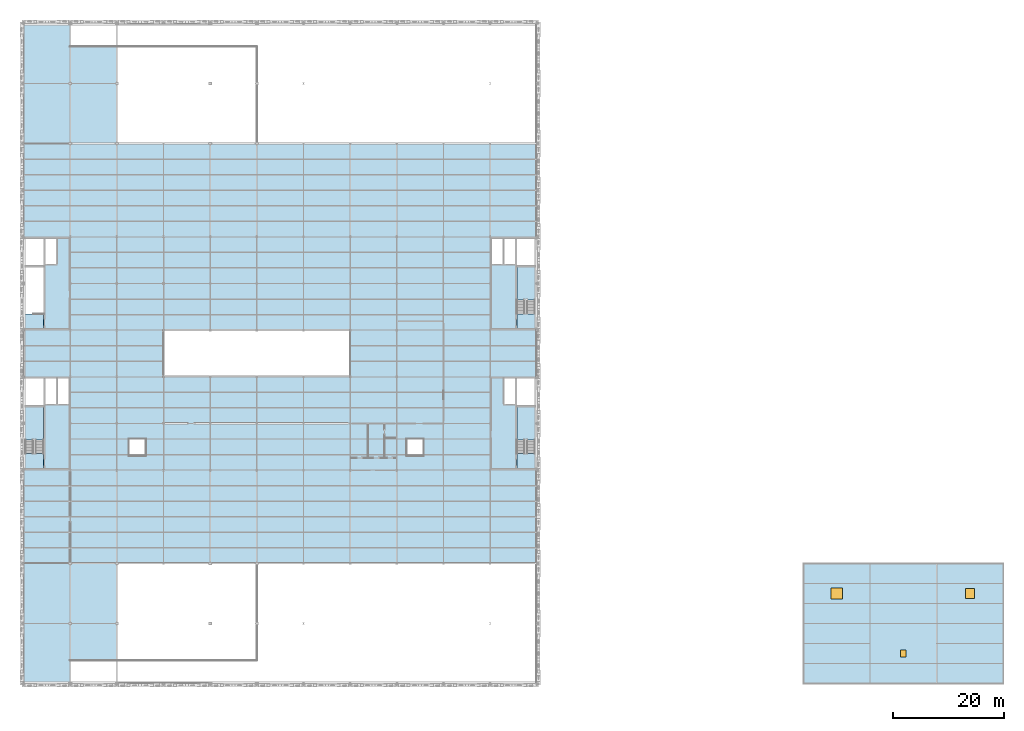
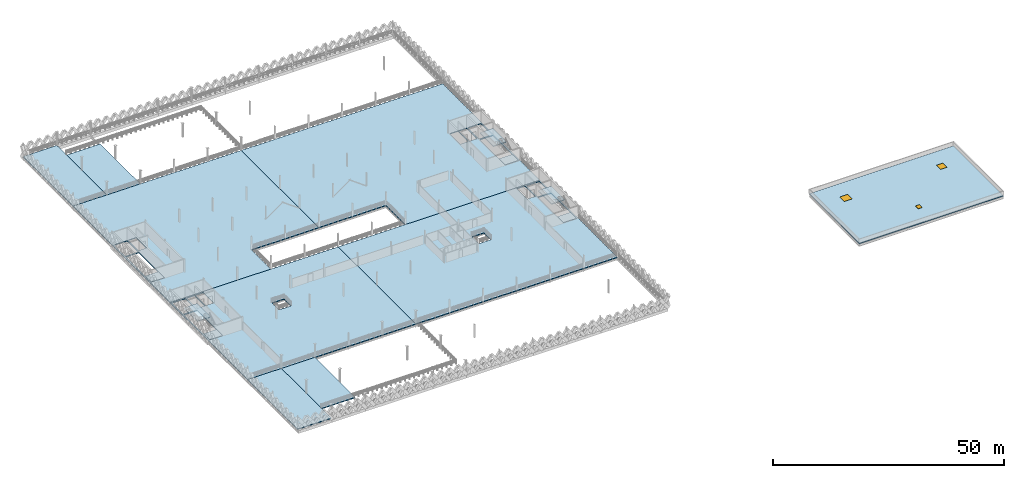
# One storey, part 31 of 47: 16 slabs, 2 windows, 1 door, 3 openings, 3 elements without a shape of their own.
"""IFC4 building model written with IfcOpenShell, lengths in metres."""

from ifc_helpers import new_model, si_unit, direction, frame, origin, origin_2d, place, context, subcontext, project, spatial, polyline, rectangle, outline, extrude, material, layer, layer_set, type_object, element, fill, aggregate, save


model = new_model("IFC4")

# Units and contexts
model_context = context("Model", 3, precision=1e-05, world=origin(), true_north=direction((0.0, 1.0)))
body_context = subcontext(model_context, "Body", "Model", "MODEL_VIEW")
ifc_project = project(units=[si_unit("LENGTHUNIT", "METRE"), si_unit("AREAUNIT", "SQUARE_METRE"), si_unit("VOLUMEUNIT", "CUBIC_METRE"), si_unit("PLANEANGLEUNIT", "RADIAN"), si_unit("MASSUNIT", "GRAM", prefix="KILO"), si_unit("THERMODYNAMICTEMPERATUREUNIT", "KELVIN"), si_unit("POWERUNIT", "WATT")], contexts=[model_context])

# Site, building, storey
site_placement = place(None, origin())
site = spatial("IfcSite", under=ifc_project, at=site_placement, CompositionType="ELEMENT")
building_placement = place(site_placement, origin())
building = spatial("IfcBuilding", under=site, at=building_placement, Name="Tembeka Court Mobility Hub", CompositionType="ELEMENT")
storey_placement = place(building_placement, frame((0.0, 0.0, 19.800048828125)))
storey = spatial("IfcBuildingStorey", under=building, at=storey_placement, Name="L05", CompositionType="ELEMENT", Elevation=19.800048828125)

# Slabs
ifc_material_1 = material(Name="Concrete C40/50", Category="concrete")
ifc_layer_1 = layer(ifc_material_1, 0.219970703125)
ifc_layer_set_1 = layer_set([ifc_layer_1], Name="Concrete C40/50")
slab_type_1 = type_object("IfcSlabType", Name="SL-FL02", PredefinedType="FLOOR", material=ifc_layer_set_1)
slab_1_placement = place(storey_placement, frame((0.0, 0.0, -0.219970703125)))
element("IfcSlab", 1, at=slab_1_placement, inside=storey, type_object=slab_type_1, Name="L05 ramped EV parking deck (V1SW)", PredefinedType="FLOOR", context=body_context, shape_type="SweptSolid", body=[
    extrude(outline(polyline([(0.0, 21.60009765625), (42.0, 21.60009765625), (42.0, 55.199951171875), (0.0, 55.199951171875), (0.0, 21.60009765625)]), holes=[polyline([(0.300048828125, 49.75), (3.60009765625, 49.75), (3.60009765625, 38.699951171875), (0.300048828125, 38.699951171875), (0.300048828125, 49.75)]), polyline([(3.89990234375, 54.89990234375), (5.89990234375, 54.89990234375), (5.89990234375, 50.35009765625), (3.89990234375, 50.35009765625), (3.89990234375, 54.89990234375)]), polyline([(6.10009765625, 54.89990234375), (8.10009765625, 54.89990234375), (8.10009765625, 50.35009765625), (6.10009765625, 50.35009765625), (6.10009765625, 54.89990234375)]), polyline([(0.300048828125, 54.89990234375), (3.60009765625, 54.89990234375), (3.60009765625, 50.050048828125), (0.300048828125, 50.050048828125), (0.300048828125, 54.89990234375)]), polyline([(19.0, 44.0), (22.0, 44.0), (22.0, 41.0), (19.0, 41.0), (19.0, 44.0)])]), origin(), (0.0, 0.0, 1.0), 0.219970703125),
])
slab_2_placement = place(storey_placement, frame((0.0, 0.0, -0.219970703125)))
element("IfcSlab", 2, at=slab_2_placement, inside=storey, type_object=slab_type_1, Name="L05 ramped EV parking deck (V1NW)", PredefinedType="FLOOR", context=body_context, shape_type="SweptSolid", body=[
    extrude(outline(polyline([(0.0, 55.199951171875), (25.199951171875, 55.199951171875), (25.199951171875, 63.60009765625), (42.0, 63.60009765625), (42.0, 97.199951171875), (0.0, 97.199951171875), (0.0, 55.199951171875)]), holes=[polyline([(0.300048828125, 74.949951171875), (3.60009765625, 74.949951171875), (3.60009765625, 63.89990234375), (0.300048828125, 63.89990234375), (0.300048828125, 74.949951171875)]), polyline([(3.89990234375, 80.10009765625), (5.89990234375, 80.10009765625), (5.89990234375, 75.550048828125), (3.89990234375, 75.550048828125), (3.89990234375, 80.10009765625)]), polyline([(0.300048828125, 80.10009765625), (3.60009765625, 80.10009765625), (3.60009765625, 75.25), (0.300048828125, 75.25), (0.300048828125, 80.10009765625)])]), origin(), (0.0, 0.0, 1.0), 0.219970703125),
])
slab_3_placement = place(storey_placement, frame((0.0, 0.0, -0.219970703125)))
element("IfcSlab", 3, at=slab_3_placement, inside=storey, type_object=slab_type_1, Name="L05 ramped EV parking deck (V1SE)", PredefinedType="FLOOR", context=body_context, shape_type="SweptSolid", body=[
    extrude(outline(polyline([(42.0, 21.60009765625), (92.39990234375, 21.60009765625), (92.39990234375, 55.199951171875), (42.0, 55.199951171875), (42.0, 21.60009765625)]), holes=[polyline([(88.800048828125, 49.75), (92.10009765625, 49.75), (92.10009765625, 38.699951171875), (88.800048828125, 38.699951171875), (88.800048828125, 49.75)]), polyline([(86.5, 54.89990234375), (88.5, 54.89990234375), (88.5, 50.35009765625), (86.5, 50.35009765625), (86.5, 54.89990234375)]), polyline([(88.800048828125, 54.89990234375), (92.10009765625, 54.89990234375), (92.10009765625, 50.050048828125), (88.800048828125, 50.050048828125), (88.800048828125, 54.89990234375)]), polyline([(69.0, 44.0), (72.0, 44.0), (72.0, 41.0), (69.0, 41.0), (69.0, 44.0)])]), origin(), (0.0, 0.0, 1.0), 0.219970703125),
])
slab_4_placement = place(storey_placement, frame((0.0, 0.0, -0.219970703125)))
element("IfcSlab", 4, at=slab_4_placement, inside=storey, type_object=slab_type_1, Name="L05 ramped EV parking deck (V1NE)", PredefinedType="FLOOR", context=body_context, shape_type="SweptSolid", body=[
    extrude(outline(polyline([(42.0, 63.60009765625), (58.800048828125, 63.60009765625), (58.800048828125, 55.199951171875), (92.39990234375, 55.199951171875), (92.39990234375, 97.199951171875), (42.0, 97.199951171875), (42.0, 63.60009765625)]), holes=[polyline([(88.800048828125, 74.949951171875), (92.10009765625, 74.949951171875), (92.10009765625, 63.89990234375), (88.800048828125, 63.89990234375), (88.800048828125, 74.949951171875)]), polyline([(84.300048828125, 80.10009765625), (86.300048828125, 80.10009765625), (86.300048828125, 75.550048828125), (84.300048828125, 75.550048828125), (84.300048828125, 80.10009765625)]), polyline([(86.5, 80.10009765625), (88.5, 80.10009765625), (88.5, 75.550048828125), (86.5, 75.550048828125), (86.5, 80.10009765625)]), polyline([(88.800048828125, 80.10009765625), (92.10009765625, 80.10009765625), (92.10009765625, 75.25), (88.800048828125, 75.25), (88.800048828125, 80.10009765625)])]), origin(), (0.0, 0.0, 1.0), 0.219970703125),
])
slab_5_placement = place(storey_placement, frame((0.0, 0.0, -0.219970703125)))
element("IfcSlab", 5, at=slab_5_placement, inside=storey, type_object=slab_type_1, Name="L05 South-West ramp perimeter deck", PredefinedType="FLOOR", context=body_context, shape_type="SweptSolid", body=[
    extrude(outline(polyline([(0.0, 0.0), (8.39990234375, 0.0), (8.39990234375, 21.60009765625), (0.0, 21.60009765625), (0.0, 0.0)])), origin(), (0.0, 0.0, 1.0), 0.219970703125),
])
slab_6_placement = place(storey_placement, frame((0.0, 0.0, -0.219970703125)))
element("IfcSlab", 6, at=slab_6_placement, inside=storey, type_object=slab_type_1, Name="L05 North-West ramp perimeter deck", PredefinedType="FLOOR", context=body_context, shape_type="SweptSolid", body=[
    extrude(outline(polyline([(0.0, 97.199951171875), (8.39990234375, 97.199951171875), (8.39990234375, 118.800048828125), (0.0, 118.800048828125), (0.0, 97.199951171875)])), origin(), (0.0, 0.0, 1.0), 0.219970703125),
])
ifc_layer_2 = layer(ifc_material_1, 0.199951171875)
ifc_layer_set_2 = layer_set([ifc_layer_2], Name="Concrete C40/50")
slab_type_2 = type_object("IfcSlabType", Name="SL-LD01", PredefinedType="LANDING", material=ifc_layer_set_2)
slab_7_placement = place(storey_placement, frame((0.0, 0.0, -0.25)))
element("IfcSlab", 7, at=slab_7_placement, inside=storey, type_object=slab_type_2, Name="Car park vehicle ramp North R1 L05 top arrival landing", PredefinedType="LANDING", context=body_context, shape_type="SweptSolid", body=[
    extrude(outline(polyline([(8.39990234375, 97.199951171875), (16.800048828125, 97.199951171875), (16.800048828125, 114.60009765625), (8.39990234375, 114.60009765625), (8.39990234375, 97.199951171875)])), origin(), (0.0, 0.0, 1.0), 0.25),
])
slab_8_placement = place(storey_placement, frame((0.0, 0.0, -0.25)))
element("IfcSlab", 8, at=slab_8_placement, inside=storey, type_object=slab_type_2, Name="Car park vehicle ramp South R2 L05 top arrival landing", PredefinedType="LANDING", context=body_context, shape_type="SweptSolid", body=[
    extrude(outline(polyline([(8.39990234375, 4.199951171875), (16.800048828125, 4.199951171875), (16.800048828125, 21.60009765625), (8.39990234375, 21.60009765625), (8.39990234375, 4.199951171875)])), origin(), (0.0, 0.0, 1.0), 0.25),
])
slab_9_placement = place(storey_placement, frame((0.0, 0.0, -0.25)))
element("IfcSlab", 9, at=slab_9_placement, inside=storey, type_object=slab_type_2, Name="Stair ST01 L05 floor landing slab", PredefinedType="LANDING", context=body_context, shape_type="SweptSolid", body=[
    extrude(outline(polyline([(0.300048828125, 38.699951171875), (3.60009765625, 38.699951171875), (3.60009765625, 41.35009765625), (0.300048828125, 41.35009765625), (0.300048828125, 38.699951171875)])), origin(), (0.0, 0.0, 1.0), 0.25),
])

# Stair, slab
stair_type_1 = type_object("IfcStairType", Name="STR-ST01L05", PredefinedType="HALF_TURN_STAIR", material=ifc_material_1)
stair_1_placement = place(storey_placement, origin())
stair_1 = element("IfcStair", 10, at=stair_1_placement, inside=storey, type_object=stair_type_1, Name="Protected exit stair ST01 (L05)", PredefinedType="HALF_TURN_STAIR")
slab_10_placement = place(storey_placement, frame((0.0, 0.0, 1.599853515625)))
slab_10 = element("IfcSlab", 11, at=slab_10_placement, type_object=slab_type_2, Name="ST01L05 landing 1", PredefinedType="LANDING", context=body_context, shape_type="SweptSolid", body=[
    extrude(outline(polyline([(3.60009765625, 43.8701171875), (3.60009765625, 49.75), (0.300048828125, 49.75), (0.300048828125, 43.8701171875), (3.60009765625, 43.8701171875)])), origin(), (0.0, 0.0, 1.0), 0.2001953125),
])
aggregate(stair_1, [slab_10])

# Slab
slab_11_placement = place(storey_placement, frame((0.0, 0.0, -0.25)))
element("IfcSlab", 12, at=slab_11_placement, inside=storey, type_object=slab_type_2, Name="Stair ST02 L05 floor landing slab", PredefinedType="LANDING", context=body_context, shape_type="SweptSolid", body=[
    extrude(outline(polyline([(88.800048828125, 63.89990234375), (92.10009765625, 63.89990234375), (92.10009765625, 66.550048828125), (88.800048828125, 66.550048828125), (88.800048828125, 63.89990234375)])), origin(), (0.0, 0.0, 1.0), 0.25),
])

# Stair, slab
stair_type_2 = type_object("IfcStairType", Name="STR-ST02L05", PredefinedType="HALF_TURN_STAIR", material=ifc_material_1)
stair_2_placement = place(storey_placement, origin())
stair_2 = element("IfcStair", 13, at=stair_2_placement, inside=storey, type_object=stair_type_2, Name="Protected exit stair ST02 (L05)", PredefinedType="HALF_TURN_STAIR")
slab_12_placement = place(storey_placement, frame((0.0, 0.0, 1.599853515625)))
slab_12 = element("IfcSlab", 14, at=slab_12_placement, type_object=slab_type_2, Name="ST02L05 landing 1", PredefinedType="LANDING", context=body_context, shape_type="SweptSolid", body=[
    extrude(outline(polyline([(92.10009765625, 69.070068359375), (92.10009765625, 74.949951171875), (88.800048828125, 74.949951171875), (88.800048828125, 69.070068359375), (92.10009765625, 69.070068359375)])), origin(), (0.0, 0.0, 1.0), 0.2001953125),
])
aggregate(stair_2, [slab_12])

# Slabs
slab_13_placement = place(storey_placement, frame((0.0, 0.0, -0.25)))
element("IfcSlab", 15, at=slab_13_placement, inside=storey, type_object=slab_type_2, Name="Stair ST03 L05 floor landing slab", PredefinedType="LANDING", context=body_context, shape_type="SweptSolid", body=[
    extrude(outline(polyline([(0.300048828125, 63.89990234375), (3.60009765625, 63.89990234375), (3.60009765625, 66.550048828125), (0.300048828125, 66.550048828125), (0.300048828125, 63.89990234375)])), origin(), (0.0, 0.0, 1.0), 0.25),
])
slab_14_placement = place(storey_placement, frame((0.0, 0.0, -0.25)))
element("IfcSlab", 16, at=slab_14_placement, inside=storey, type_object=slab_type_2, Name="Stair ST04 L05 floor landing slab", PredefinedType="LANDING", context=body_context, shape_type="SweptSolid", body=[
    extrude(outline(polyline([(88.800048828125, 38.699951171875), (92.10009765625, 38.699951171875), (92.10009765625, 41.35009765625), (88.800048828125, 41.35009765625), (88.800048828125, 38.699951171875)])), origin(), (0.0, 0.0, 1.0), 0.25),
])

# Stair, slab
stair_type_3 = type_object("IfcStairType", Name="STR-ST04L05", PredefinedType="HALF_TURN_STAIR", material=ifc_material_1)
stair_3_placement = place(storey_placement, origin())
stair_3 = element("IfcStair", 17, at=stair_3_placement, inside=storey, type_object=stair_type_3, Name="Protected exit stair ST04 (L05)", PredefinedType="HALF_TURN_STAIR")
slab_15_placement = place(storey_placement, frame((0.0, 0.0, 1.599853515625)))
slab_15 = element("IfcSlab", 18, at=slab_15_placement, type_object=slab_type_2, Name="ST04L05 landing 1", PredefinedType="LANDING", context=body_context, shape_type="SweptSolid", body=[
    extrude(outline(polyline([(92.10009765625, 43.8701171875), (92.10009765625, 49.75), (88.800048828125, 49.75), (88.800048828125, 43.8701171875), (92.10009765625, 43.8701171875)])), origin(), (0.0, 0.0, 1.0), 0.2001953125),
])
aggregate(stair_3, [slab_15])

# Slab, openings, door, windows
ifc_layer_3 = layer(ifc_material_1, 0.22998046875)
ifc_layer_set_3 = layer_set([ifc_layer_3], Name="Concrete C40/50")
slab_type_3 = type_object("IfcSlabType", Name="SL-RF01", PredefinedType="ROOF", material=ifc_layer_set_3)
slab_16_placement = place(storey_placement, frame((0.0, 0.0, -0.22998046875)))
slab_16 = element("IfcSlab", 19, at=slab_16_placement, inside=storey, type_object=slab_type_3, Name="L05 service and training wing main roof slab", PredefinedType="ROOF", context=body_context, shape_type="SweptSolid", body=[
    extrude(outline(polyline([(140.39990234375, 0.0), (176.39990234375, 0.0), (176.39990234375, 21.60009765625), (140.39990234375, 21.60009765625), (140.39990234375, 0.0)])), origin(), (0.0, 0.0, 1.0), 0.22998046875),
])
opening_1_placement = place(slab_16_placement, frame((146.39990234375, 16.199951171875, -0.010009765625)))
opening_1 = element("IfcOpeningElement", 20, at=opening_1_placement, cuts=slab_16, Name="Opening SK04", PredefinedType="OPENING", context=body_context, shape_type="SweptSolid", body=[
    extrude(rectangle(XDim=2.0, YDim=2.0, at=origin_2d()), origin(), (0.0, 0.0, 1.0), 0.25),
])
opening_2_placement = place(slab_16_placement, frame((170.39990234375, 16.199951171875, -0.010009765625)))
opening_2 = element("IfcOpeningElement", 21, at=opening_2_placement, cuts=slab_16, Name="Opening SK06", PredefinedType="OPENING", context=body_context, shape_type="SweptSolid", body=[
    extrude(rectangle(XDim=1.60009765625, YDim=1.800048828125, at=origin_2d()), origin(), (0.0, 0.0, 1.0), 0.25),
])
opening_3_placement = place(slab_16_placement, frame((158.39990234375, 5.39990234375, -0.010009765625)))
opening_3 = element("IfcOpeningElement", 22, at=opening_3_placement, cuts=slab_16, Name="Opening HD01", PredefinedType="OPENING", context=body_context, shape_type="SweptSolid", body=[
    extrude(rectangle(XDim=1.0, YDim=1.199951171875, at=origin_2d()), origin(), (0.0, 0.0, 1.0), 0.320068359375),
])
ifc_material_2 = material(Name="Powder-coated aluminium glazed doorset", Category="aluminium")
door_type = type_object("IfcDoorType", Name="DR-HD01", OperationType="SINGLE_SWING_LEFT", PredefinedType="TRAPDOOR", material=ifc_material_2)
door_placement = place(opening_3_placement, frame((0.0, 0.0, 0.239990234375)))
door = element("IfcDoor", 23, at=door_placement, inside=storey, type_object=door_type, Name="Roof maintenance access hatch HD01-03", OperationType="SINGLE_SWING_LEFT", OverallHeight=1.199951171875, OverallWidth=1.0, PredefinedType="TRAPDOOR", context=body_context, shape_type="SweptSolid", body=[
    extrude(rectangle(XDim=1.0, YDim=1.199951171875, at=origin_2d()), origin(), (0.0, 0.0, 1.0), 0.06005859375),
])
fill(opening_3, door)
ifc_material_3 = material(Name="Laminated solar-control low-E glass", Category="glass")
window_type_1 = type_object("IfcWindowType", Name="WN-SK04", PartitioningType="SINGLE_PANEL", PredefinedType="SKYLIGHT", material=ifc_material_3)
window_1_placement = place(opening_1_placement, frame((0.0, 0.0, 0.18994140625)))
window_1 = element("IfcWindow", 24, at=window_1_placement, inside=storey, type_object=window_type_1, Name="Roof skylight SK04-04", OverallHeight=2.0, OverallWidth=2.0, PartitioningType="SINGLE_PANEL", PredefinedType="SKYLIGHT", context=body_context, shape_type="SweptSolid", body=[
    extrude(rectangle(XDim=2.0, YDim=2.0, at=origin_2d()), origin(), (0.0, 0.0, 1.0), 0.050048828125),
])
fill(opening_1, window_1)
window_type_2 = type_object("IfcWindowType", Name="WN-SK06", PartitioningType="SINGLE_PANEL", PredefinedType="SKYLIGHT", material=ifc_material_3)
window_2_placement = place(opening_2_placement, frame((0.0, 0.0, 0.18994140625)))
window_2 = element("IfcWindow", 25, at=window_2_placement, inside=storey, type_object=window_type_2, Name="Roof skylight SK06-05", OverallHeight=1.800048828125, OverallWidth=1.60009765625, PartitioningType="SINGLE_PANEL", PredefinedType="SKYLIGHT", context=body_context, shape_type="SweptSolid", body=[
    extrude(rectangle(XDim=1.60009765625, YDim=1.800048828125, at=origin_2d()), origin(), (0.0, 0.0, 1.0), 0.050048828125),
])
fill(opening_2, window_2)

save(model, "model.ifc")
